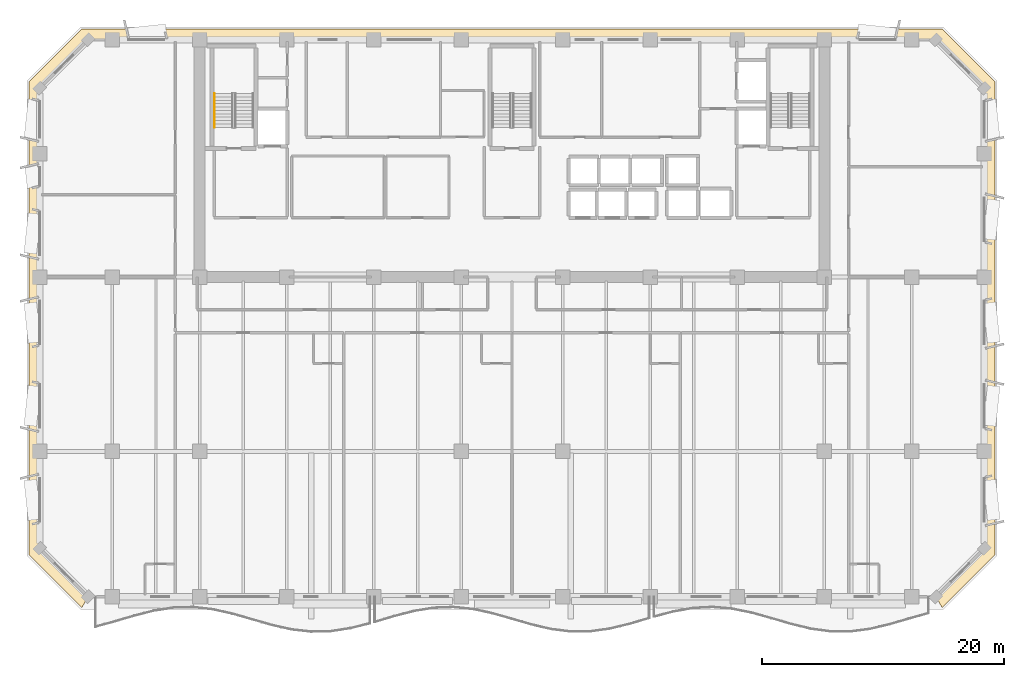
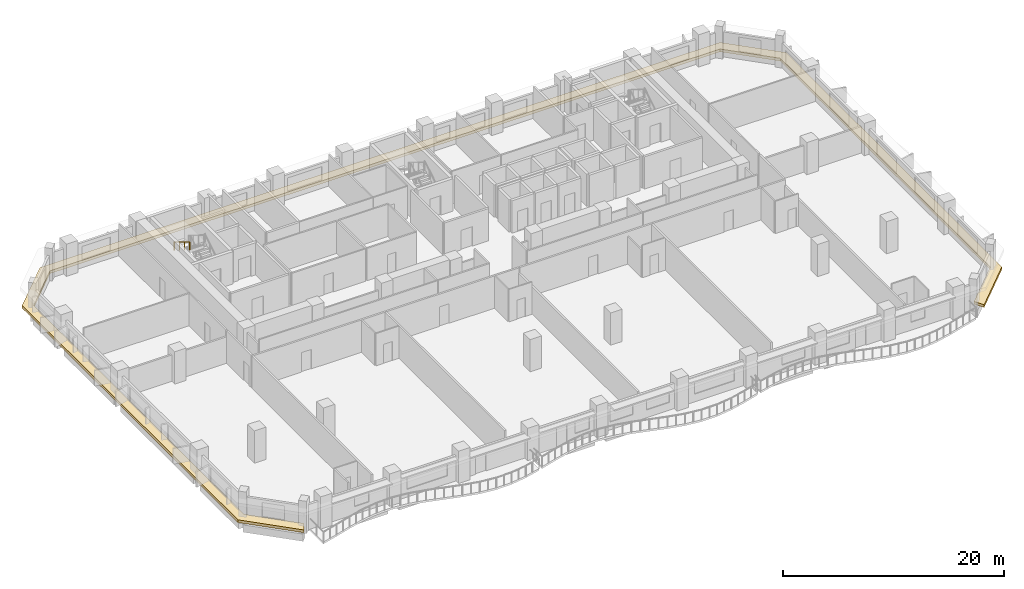
# One storey, part 11 of 14: 1 covering, 1 railing.
"""IFC4 building model written with IfcOpenShell, lengths in metres."""

from ifc_helpers import new_model, si_unit, direction, frame, origin, origin_2d, place, context, subcontext, project, spatial, polyline, rectangle, outline, extrude, material, layer, layer_set, type_object, element, save


model = new_model("IFC4")

# Units and contexts
model_context = context("Model", 3, precision=1e-05, world=origin(), true_north=direction((0.0, 1.0)))
body_context = subcontext(model_context, "Body", "Model", "MODEL_VIEW")
ifc_project = project(units=[si_unit("LENGTHUNIT", "METRE"), si_unit("AREAUNIT", "SQUARE_METRE"), si_unit("VOLUMEUNIT", "CUBIC_METRE"), si_unit("PLANEANGLEUNIT", "RADIAN"), si_unit("MASSUNIT", "GRAM", prefix="KILO")], contexts=[model_context])

# Site, building, storey
site_placement = place(None, origin())
site = spatial("IfcSite", under=ifc_project, at=site_placement, CompositionType="ELEMENT")
building_placement = place(site_placement, origin())
building = spatial("IfcBuilding", under=site, at=building_placement, Name="Kaelvorn Grand Hotel", CompositionType="ELEMENT")
storey_placement = place(building_placement, frame((0.0, 0.0, 216.75)))
storey = spatial("IfcBuildingStorey", under=building, at=storey_placement, Name="L53", CompositionType="ELEMENT", Elevation=216.75)

# Covering
ifc_material_1 = material(Name="Precast concrete C45/55", Category="concrete")
ifc_layer = layer(ifc_material_1, 0.219970703125)
ifc_layer_set = layer_set([ifc_layer], Name="Precast concrete C45/55")
covering_type = type_object("IfcCoveringType", Name="COV-BAND-STREAMLINE-SILL", PredefinedType="CLADDING", material=ifc_layer_set)
covering_placement = place(storey_placement, frame((0.0, 0.0, 0.449951171875)))
element("IfcCovering", 1, at=covering_placement, inside=storey, type_object=covering_type, Name="L53 Streamline Moderne Wraparound Horizontal Sill Spandrel Band", PredefinedType="CLADDING", context=body_context, shape_type="SweptSolid", body=[
    extrude(outline(polyline([(77.515380859375, 2.1201171875), (81.8798828125, 6.484619140625), (81.8798828125, 45.515380859375), (77.515380859375, 49.8798828125), (6.484619140625, 49.8798828125), (2.1201171875, 45.515380859375), (2.1201171875, 6.484619140625), (6.484619140625, 2.1201171875), (7.017578125, 3.030029296875), (3.030029296875, 7.017578125), (3.030029296875, 44.982421875), (7.017578125, 48.969970703125), (76.982421875, 48.969970703125), (80.969970703125, 44.982421875), (80.969970703125, 7.017578125), (76.982421875, 3.030029296875), (77.515380859375, 2.1201171875)])), origin(), (0.0, 0.0, 1.0), 0.300048828125),
])

# Railing
ifc_material_2 = material(Name="Stainless Steel", Category="steel")
railing_type = type_object("IfcRailingType", Name="RL-HANDRAIL-900", PredefinedType="HANDRAIL", material=ifc_material_2)
railing_placement = place(storey_placement, frame((17.449951171875, 44.56005859375, 2.07275390625)))
element("IfcRailing", 2, at=railing_placement, inside=storey, type_object=railing_type, Name="L53 ST1 stair handrail 2", PredefinedType="HANDRAIL", context=body_context, shape_type="SweptSolid", body=[
    extrude(rectangle(XDim=0.048095703125, YDim=0.048095703125, at=origin_2d()), frame((0.0, 0.0, 0.8759765625), z_axis=(0.0, -0.851089632645, 0.525020415988), x_axis=(1.0, 0.0, 0.0)), (0.0, 0.0, 1.0), 3.2900390625),
    extrude(rectangle(XDim=0.0419921875, YDim=0.0419921875, at=origin_2d()), origin(), (0.0, 0.0, 1.0), 0.851806640625),
    extrude(rectangle(XDim=0.0419921875, YDim=0.0419921875, at=origin_2d()), frame((0.0, -0.933349609375, 0.57568359375)), (0.0, 0.0, 1.0), 0.851806640625),
    extrude(rectangle(XDim=0.0419921875, YDim=0.0419921875, at=origin_2d()), frame((0.0, -1.86669921875, 1.151611328125)), (0.0, 0.0, 1.0), 0.851806640625),
    extrude(rectangle(XDim=0.0419921875, YDim=0.0419921875, at=origin_2d()), frame((0.0, -2.800048828125, 1.727294921875)), (0.0, 0.0, 1.0), 0.851806640625),
])

save(model, "model.ifc")
